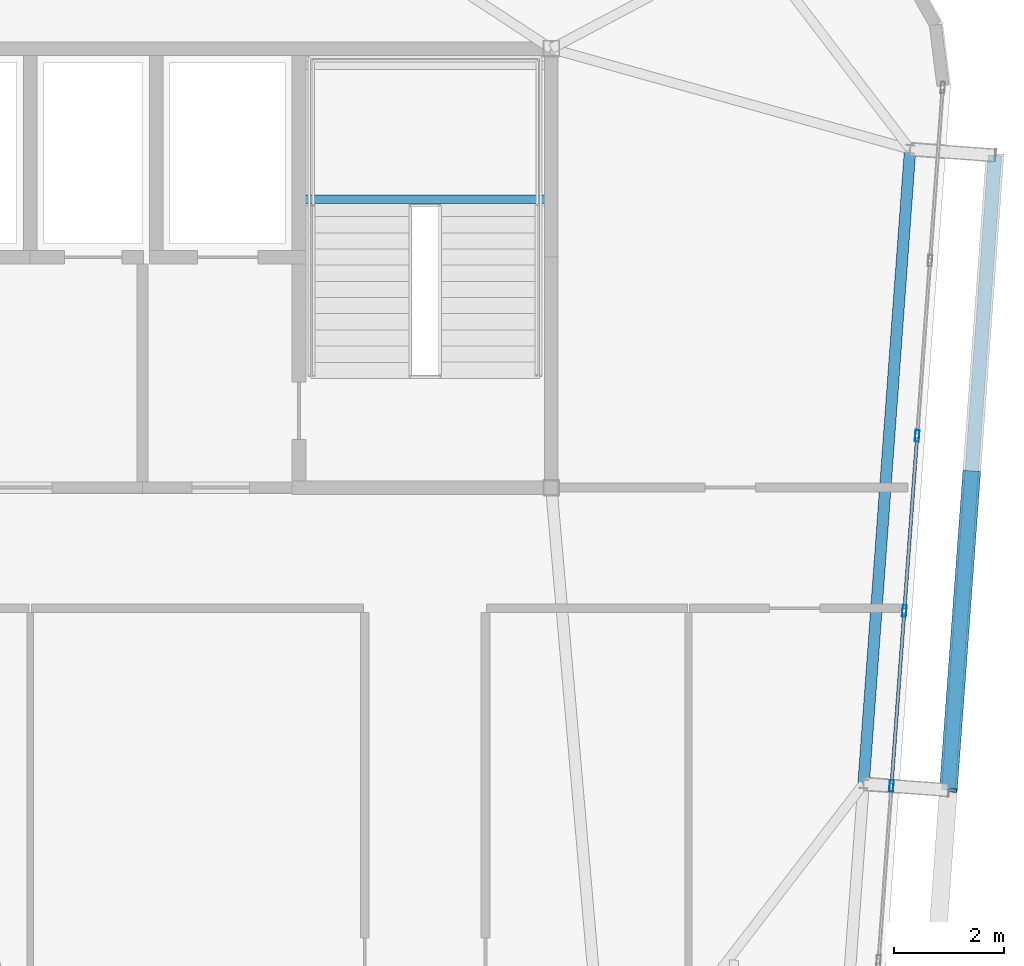
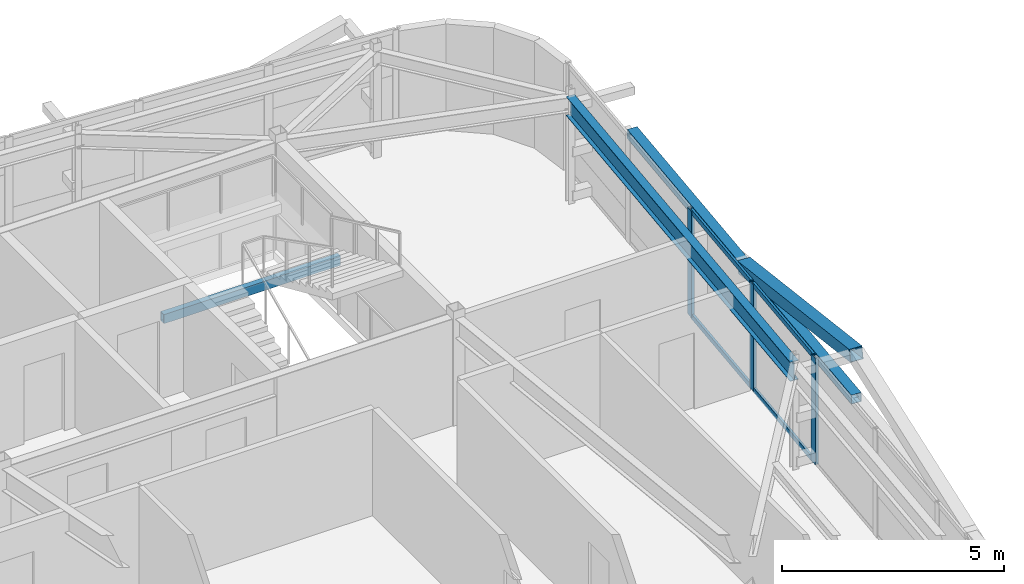
# One storey, part 23 of 42: 9 members, 2 beams, 1 element without a shape of its own.
"""IFC4 building model written with IfcOpenShell, lengths in metres."""

from ifc_helpers import new_model, si_unit, direction, frame, origin, origin_2d, place, context, subcontext, project, spatial, hollow_rectangle, i_section, extrude, source, transform, mapped, material, layer, layer_set, material_profile, profile_set, type_object, element, aggregate, save


model = new_model("IFC4")

# Units and contexts
model_context = context("Model", 3, precision=1e-05, world=origin(), true_north=direction((0.0, 1.0)))
body_context = subcontext(model_context, "Body", "Model", "MODEL_VIEW")
ifc_project = project(units=[si_unit("LENGTHUNIT", "METRE"), si_unit("AREAUNIT", "SQUARE_METRE"), si_unit("VOLUMEUNIT", "CUBIC_METRE"), si_unit("PLANEANGLEUNIT", "RADIAN"), si_unit("MASSUNIT", "GRAM", prefix="KILO")], contexts=[model_context])

# Site, building, storey
site_placement = place(None, origin())
site = spatial("IfcSite", under=ifc_project, at=site_placement, CompositionType="ELEMENT")
building_placement = place(site_placement, origin())
building = spatial("IfcBuilding", under=site, at=building_placement, Name="Taldren Reach Tower", CompositionType="ELEMENT")
storey_placement = place(building_placement, frame((0.0, 0.0, 217.699951171875)))
storey = spatial("IfcBuildingStorey", under=building, at=storey_placement, Name="L66", CompositionType="ELEMENT", Elevation=217.699951171875)

# Beam
ifc_material_1 = material(Name="Steel Gr 350 (350PLUS)", Category="steel")
ifc_material_profile_1 = material_profile(ifc_material_1, i_section(OverallWidth=0.208984375, OverallDepth=0.528076171875, WebThickness=0.009521484375, FlangeThickness=0.01318359375, at=origin_2d()), Name="530UB82.0")
ifc_profile_set_1 = profile_set([ifc_material_profile_1], Name="Steel Gr 350 (350PLUS)")
beam_type_1 = type_object("IfcBeamType", Name="SP-UB530B", PredefinedType="SPANDREL", material=ifc_profile_set_1)
shared_shape_1 = source(origin(), body_context, "Body", "SweptSolid", [
    extrude(i_section(OverallWidth=0.208984375, OverallDepth=0.528076171875, WebThickness=0.009521484375, FlangeThickness=0.01318359375, at=origin_2d()), origin(), (0.0, 0.0, 1.0), 11.60009765625),
])
beam_1_placement = place(storey_placement, frame((56.69140625, 18.599853515625, 2.666015625), z_axis=(0.073221234109, 0.997315722766, 0.0), x_axis=(-0.997315722766, 0.073221234109, 0.0)))
element("IfcBeam", 1, at=beam_1_placement, inside=storey, type_object=beam_type_1, Name="Perimeter spandrel B5 E2-E3 L66", PredefinedType="SPANDREL", context=body_context, shape_type="MappedRepresentation", body=[
    mapped(shared_shape_1, transform((0.0, 0.0, 0.0), scale=1.0)),
])

# Members
ifc_material_2 = material(Name="Steel Gr 450 (C450L0)", Category="steel")
ifc_material_profile_2 = material_profile(ifc_material_2, hollow_rectangle(XDim=0.324951171875, YDim=0.324951171875, WallThickness=0.0126953125, at=origin_2d()), Name="325x325x12.7SHS")
ifc_profile_set_2 = profile_set([ifc_material_profile_2], Name="Steel Gr 450 (C450L0)")
member_type_1 = type_object("IfcMemberType", Name="MB-BR324", PredefinedType="BRACE", material=ifc_profile_set_2)
shared_shape_2 = source(origin(), body_context, "Body", "SweptSolid", [
    extrude(hollow_rectangle(XDim=0.324951171875, YDim=0.324951171875, WallThickness=0.0126953125, at=origin_2d()), origin(), (0.0, 0.0, 1.0), 5.926025390625),
])
member_1_placement = place(storey_placement, frame((58.661865234375, 24.270751953125, 1.43505859375), z_axis=(-0.071685935393, -0.976123486939, 0.205046494513), x_axis=(0.997314185625, -0.073242167855, 0.0)))
element("IfcMember", 2, at=member_1_placement, inside=storey, type_object=member_type_1, Name="Exoskeleton Diagrid Brace B5-E2 L66", PredefinedType="BRACE", context=body_context, shape_type="MappedRepresentation", body=[
    mapped(shared_shape_2, transform((0.0, 0.0, 0.0), scale=1.0)),
])
ifc_material_3 = material(Name="Steel Gr 350 (C350L0)", Category="steel")
ifc_material_profile_3 = material_profile(ifc_material_3, hollow_rectangle(XDim=0.25, YDim=0.25, WallThickness=0.010009765625, at=origin_2d()), Name="250x250x10.0SHS")
ifc_profile_set_3 = profile_set([ifc_material_profile_3], Name="Steel Gr 350 (C350L0)")
member_type_2 = type_object("IfcMemberType", Name="MB-POST250", PredefinedType="POST", material=ifc_profile_set_3)
shared_shape_3 = source(origin(), body_context, "Body", "SweptSolid", [
    extrude(hollow_rectangle(XDim=0.25, YDim=0.25, WallThickness=0.010009765625, at=origin_2d()), origin(), (0.0, 0.0, 1.0), 11.60009765625),
])
member_2_placement = place(storey_placement, frame((58.237060546875, 18.486328125, 1.43505859375), z_axis=(0.073242167855, 0.997314185625, 0.0), x_axis=(-0.997314185625, 0.073242167855, 0.0)))
element("IfcMember", 3, at=member_2_placement, inside=storey, type_object=member_type_2, Name="Exoskeleton mid-height ring chord B5-E2 L66", PredefinedType="POST", context=body_context, shape_type="MappedRepresentation", body=[
    mapped(shared_shape_3, transform((0.0, 0.0, 0.0), scale=1.0)),
])

# Curtain wall, members
ifc_material_4 = material(Name="Aluminium and Low-E Glass Unitised System", Category="aluminium")
ifc_layer = layer(ifc_material_4, 0.159912109375)
ifc_layer_set = layer_set([ifc_layer], Name="Aluminium and Low-E Glass Unitised System")
curtain_wall_type = type_object("IfcCurtainWallType", Name="CW-SYS-6", PredefinedType="NOTDEFINED", material=ifc_layer_set)
curtain_wall_placement = place(storey_placement, origin())
curtain_wall = element("IfcCurtainWall", 4, at=curtain_wall_placement, inside=storey, type_object=curtain_wall_type, Name="Unitised curtain wall CW-L66-E", PredefinedType="NOTDEFINED")
ifc_material_5 = material(Name="Anodised Aluminium 6063-T6", Category="aluminium")
ifc_material_profile_4 = material_profile(ifc_material_5, hollow_rectangle(XDim=0.074951171875, YDim=0.2099609375, WallThickness=0.00439453125, at=origin_2d()), Name="ALU-210x75x4.5RHS")
ifc_profile_set_4 = profile_set([ifc_material_profile_4], Name="Anodised Aluminium 6063-T6")
member_type_3 = type_object("IfcMemberType", Name="CW-MUL-200", PredefinedType="MULLION", material=ifc_profile_set_4)
shared_shape_4 = source(origin(), body_context, "Body", "SweptSolid", [
    extrude(hollow_rectangle(XDim=0.074951171875, YDim=0.2099609375, WallThickness=0.00439453125, at=origin_2d()), origin(), (0.0, 0.0, 1.0), 2.929931640625),
])
member_3_placement = place(storey_placement, frame((57.199951171875, 18.5625, 0.0), z_axis=(0.0, 0.0, 1.0), x_axis=(-0.997314470951, 0.073238282558, 0.0)))
member_3 = element("IfcMember", 5, at=member_3_placement, type_object=member_type_3, Name="CW-6 mullion 5", PredefinedType="MULLION", context=body_context, shape_type="MappedRepresentation", body=[
    mapped(shared_shape_4, transform((0.0, 0.0, 0.0), scale=1.0)),
])
member_4_placement = place(storey_placement, frame((57.434326171875, 21.75390625, 0.0), z_axis=(0.0, 0.0, 1.0), x_axis=(-0.997314470951, 0.073238282558, 0.0)))
member_4 = element("IfcMember", 6, at=member_4_placement, type_object=member_type_3, Name="CW-6 mullion 6", PredefinedType="MULLION", context=body_context, shape_type="MappedRepresentation", body=[
    mapped(shared_shape_4, transform((0.0, 0.0, 0.0), scale=1.0)),
])
member_5_placement = place(storey_placement, frame((57.668701171875, 24.9453125, 0.0), z_axis=(0.0, 0.0, 1.0), x_axis=(-0.997314470951, 0.073238282558, 0.0)))
member_5 = element("IfcMember", 7, at=member_5_placement, type_object=member_type_3, Name="CW-6 mullion 7", PredefinedType="MULLION", context=body_context, shape_type="MappedRepresentation", body=[
    mapped(shared_shape_4, transform((0.0, 0.0, 0.0), scale=1.0)),
])
ifc_material_profile_5 = material_profile(ifc_material_5, hollow_rectangle(XDim=0.06005859375, YDim=0.135009765625, WallThickness=0.00341796875, at=origin_2d()), Name="ALU-135x60x3.5RHS")
ifc_profile_set_5 = profile_set([ifc_material_profile_5], Name="Anodised Aluminium 6063-T6")
member_type_4 = type_object("IfcMemberType", Name="CW-TRN-150", PredefinedType="USERDEFINED", material=ifc_profile_set_5)
shared_shape_5 = source(origin(), body_context, "Body", "SweptSolid", [
    extrude(hollow_rectangle(XDim=0.06005859375, YDim=0.135009765625, WallThickness=0.00341796875, at=origin_2d()), origin(), (0.0, 0.0, 1.0), 3.124755859375),
])
member_6_placement = place(storey_placement, frame((57.20263671875, 18.599853515625, 0.030029296875), z_axis=(0.073284589347, 0.997311069308, 0.0), x_axis=(-0.997311069308, 0.073284589347, 0.0)))
member_6 = element("IfcMember", 8, at=member_6_placement, type_object=member_type_4, Name="CW-6 transom 5.1", ObjectType="TRANSOM", PredefinedType="USERDEFINED", context=body_context, shape_type="MappedRepresentation", body=[
    mapped(shared_shape_5, transform((0.0, 0.0, 0.0), scale=1.0)),
])
member_7_placement = place(storey_placement, frame((57.20263671875, 18.599853515625, 2.900146484375), z_axis=(0.073284589347, 0.997311069308, 0.0), x_axis=(-0.997311069308, 0.073284589347, 0.0)))
member_7 = element("IfcMember", 9, at=member_7_placement, type_object=member_type_4, Name="CW-6 transom 5.2", ObjectType="TRANSOM", PredefinedType="USERDEFINED", context=body_context, shape_type="MappedRepresentation", body=[
    mapped(shared_shape_5, transform((0.0, 0.0, 0.0), scale=1.0)),
])
member_8_placement = place(storey_placement, frame((57.43701171875, 21.791259765625, 0.030029296875), z_axis=(0.073284589347, 0.997311069308, 0.0), x_axis=(-0.997311069308, 0.073284589347, 0.0)))
member_8 = element("IfcMember", 10, at=member_8_placement, type_object=member_type_4, Name="CW-6 transom 6.1", ObjectType="TRANSOM", PredefinedType="USERDEFINED", context=body_context, shape_type="MappedRepresentation", body=[
    mapped(shared_shape_5, transform((0.0, 0.0, 0.0), scale=1.0)),
])
member_9_placement = place(storey_placement, frame((57.43701171875, 21.791259765625, 2.900146484375), z_axis=(0.073284589347, 0.997311069308, 0.0), x_axis=(-0.997311069308, 0.073284589347, 0.0)))
member_9 = element("IfcMember", 11, at=member_9_placement, type_object=member_type_4, Name="CW-6 transom 6.2", ObjectType="TRANSOM", PredefinedType="USERDEFINED", context=body_context, shape_type="MappedRepresentation", body=[
    mapped(shared_shape_5, transform((0.0, 0.0, 0.0), scale=1.0)),
])
aggregate(curtain_wall, [member_3, member_4, member_5, member_6, member_7, member_8, member_9])

# Beam
ifc_material_profile_6 = material_profile(ifc_material_3, hollow_rectangle(XDim=0.14990234375, YDim=0.25, WallThickness=0.009033203125, at=origin_2d()), Name="250x150x9.0RHS")
ifc_profile_set_6 = profile_set([ifc_material_profile_6], Name="Steel Gr 350 (C350L0)")
beam_type_2 = type_object("IfcBeamType", Name="LN-RHS250", PredefinedType="LINTEL", material=ifc_profile_set_6)
shared_shape_6 = source(origin(), body_context, "Body", "SweptSolid", [
    extrude(hollow_rectangle(XDim=0.14990234375, YDim=0.25, WallThickness=0.009033203125, at=origin_2d()), origin(), (0.0, 0.0, 1.0), 4.60009765625),
])
beam_2_placement = place(storey_placement, frame((46.39990234375, 29.2548828125, 1.27001953125), z_axis=(1.0, 0.0, 0.0), x_axis=(0.0, 1.0, 0.0)))
element("IfcBeam", 12, at=beam_2_placement, inside=storey, type_object=beam_type_2, Name="Stair half-landing support beam ST2-L66-1", PredefinedType="LINTEL", context=body_context, shape_type="MappedRepresentation", body=[
    mapped(shared_shape_6, transform((0.0, 0.0, 0.0), scale=1.0)),
])

save(model, "model.ifc")
